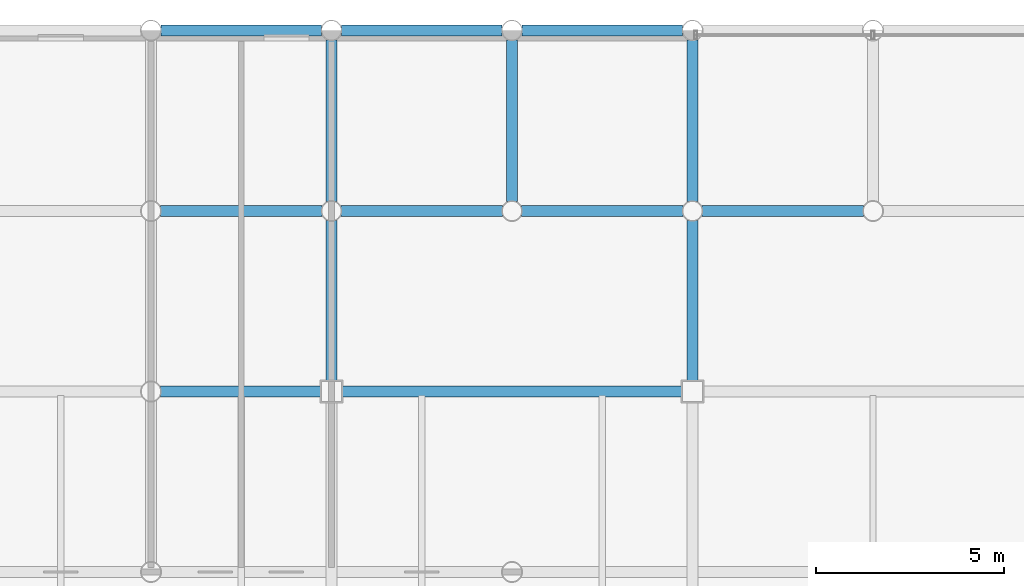
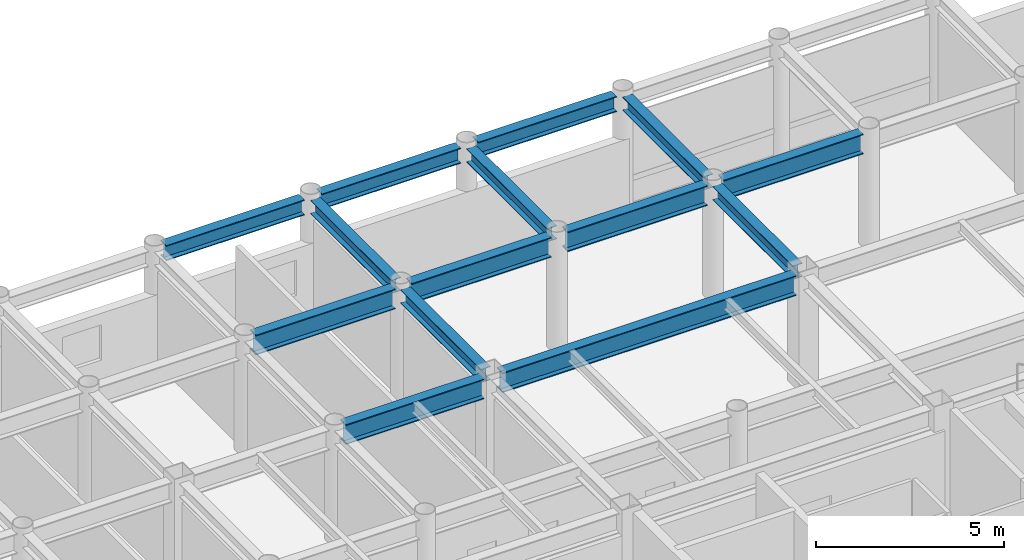
# One storey, part 13 of 21: 14 beams.
"""IFC4 building model written with IfcOpenShell, lengths in metres."""

from ifc_helpers import new_model, si_unit, direction, frame, origin, origin_2d, place, context, subcontext, project, spatial, i_section, extrude, material, material_profile, profile_set, type_object, element, save


model = new_model("IFC4")

# Units and contexts
model_context = context("Model", 3, precision=1e-05, world=origin(), true_north=direction((0.0, 1.0)))
body_context = subcontext(model_context, "Body", "Model", "MODEL_VIEW")
ifc_project = project(units=[si_unit("LENGTHUNIT", "METRE"), si_unit("AREAUNIT", "SQUARE_METRE"), si_unit("VOLUMEUNIT", "CUBIC_METRE"), si_unit("PLANEANGLEUNIT", "RADIAN"), si_unit("MASSUNIT", "GRAM", prefix="KILO")], contexts=[model_context])

# Site, building, storey
site_placement = place(None, origin())
site = spatial("IfcSite", under=ifc_project, at=site_placement, CompositionType="ELEMENT")
building_placement = place(site_placement, origin())
building = spatial("IfcBuilding", under=site, at=building_placement, Name="Kallvorn Hotel Tower", CompositionType="ELEMENT")
storey_placement = place(building_placement, frame((0.0, 0.0, 268.5)))
storey = spatial("IfcBuildingStorey", under=building, at=storey_placement, Name="L67", CompositionType="ELEMENT", Elevation=268.5)

# Beams
ifc_material_1 = material(Name="Structural steel S355JR", Category="steel")
ifc_material_profile_1 = material_profile(ifc_material_1, i_section(OverallWidth=0.300048828125, OverallDepth=0.43994140625, WebThickness=0.011474609375, FlangeThickness=0.02099609375, at=origin_2d()), Name="HE 450 A")
ifc_profile_set_1 = profile_set([ifc_material_profile_1], Name="Structural steel S355JR")
beam_type_1 = type_object("IfcBeamType", Name="BM_HE450A", PredefinedType="BEAM", material=ifc_profile_set_1)
beam_1_placement = place(storey_placement, frame((-14.39990234375, 14.675048828125, 3.449951171875), z_axis=(0.0, 1.0, 0.0), x_axis=(-1.0, 0.0, 0.0)))
element("IfcBeam", 1, at=beam_1_placement, inside=storey, type_object=beam_type_1, Name="L68 Primary Y-Girder 101", PredefinedType="BEAM", context=body_context, shape_type="SweptSolid", body=[
    extrude(i_section(OverallWidth=0.300048828125, OverallDepth=0.43994140625, WebThickness=0.011474609375, FlangeThickness=0.02099609375, at=origin_2d()), origin(), (0.0, 0.0, 1.0), 4.2705078125),
])
for number, where, z_axis, x_axis, name in (
    (2, (-14.39990234375, 19.45458984375, 3.449951171875), (0.0, 1.0, 0.0), (-1.0, 0.0, 0.0), "L68 Primary Y-Girder 102"),
    (3, (-9.60009765625, 19.45458984375, 3.449951171875), (0.0, 1.0, 0.0), (-1.0, 0.0, 0.0), "L68 Primary Y-Girder 105"),
):
    element("IfcBeam", number, at=place(storey_placement, frame(where, z_axis=z_axis, x_axis=x_axis)), inside=storey, type_object=beam_type_1, Name=name, PredefinedType="BEAM", context=body_context, shape_type="SweptSolid", body=[
        extrude(i_section(OverallWidth=0.300048828125, OverallDepth=0.43994140625, WebThickness=0.011474609375, FlangeThickness=0.02099609375, at=origin_2d()), origin(), (0.0, 0.0, 1.0), 4.291015625),
    ])
beam_2_placement = place(storey_placement, frame((-4.800048828125, 14.675048828125, 3.449951171875), z_axis=(0.0, 1.0, 0.0), x_axis=(-1.0, 0.0, 0.0)))
element("IfcBeam", 4, at=beam_2_placement, inside=storey, type_object=beam_type_1, Name="L68 Primary Y-Girder 109", PredefinedType="BEAM", context=body_context, shape_type="SweptSolid", body=[
    extrude(i_section(OverallWidth=0.300048828125, OverallDepth=0.43994140625, WebThickness=0.011474609375, FlangeThickness=0.02099609375, at=origin_2d()), origin(), (0.0, 0.0, 1.0), 4.2705078125),
])
beam_3_placement = place(storey_placement, frame((-4.800048828125, 19.45458984375, 3.449951171875), z_axis=(0.0, 1.0, 0.0), x_axis=(-1.0, 0.0, 0.0)))
element("IfcBeam", 5, at=beam_3_placement, inside=storey, type_object=beam_type_1, Name="L68 Primary Y-Girder 110", PredefinedType="BEAM", context=body_context, shape_type="SweptSolid", body=[
    extrude(i_section(OverallWidth=0.300048828125, OverallDepth=0.43994140625, WebThickness=0.011474609375, FlangeThickness=0.02099609375, at=origin_2d()), origin(), (0.0, 0.0, 1.0), 4.291015625),
])
ifc_material_2 = material(Name="Structural steel S355JR", Category="steel")
ifc_material_profile_2 = material_profile(ifc_material_2, i_section(OverallWidth=0.300048828125, OverallDepth=0.5, WebThickness=0.014404296875, FlangeThickness=0.028076171875, at=origin_2d()), Name="HE 500 B")
ifc_profile_set_2 = profile_set([ifc_material_profile_2], Name="Structural steel S355JR")
beam_type_2 = type_object("IfcBeamType", Name="BM_HE500B", PredefinedType="SPANDREL", material=ifc_profile_set_2)
beam_4_placement = place(storey_placement, frame((-18.930419921875, 24.0, 3.419921875), z_axis=(1.0, 0.0, 0.0), x_axis=(0.0, 1.0, 0.0)))
element("IfcBeam", 6, at=beam_4_placement, inside=storey, type_object=beam_type_2, Name="L68 Perimeter Spandrel 165", PredefinedType="SPANDREL", context=body_context, shape_type="SweptSolid", body=[
    extrude(i_section(OverallWidth=0.300048828125, OverallDepth=0.5, WebThickness=0.014404296875, FlangeThickness=0.028076171875, at=origin_2d()), origin(), (0.0, 0.0, 1.0), 4.260986328125),
])
beam_5_placement = place(storey_placement, frame((-14.130615234375, 24.0, 3.419921875), z_axis=(1.0, 0.0, 0.0), x_axis=(0.0, 1.0, 0.0)))
element("IfcBeam", 7, at=beam_5_placement, inside=storey, type_object=beam_type_2, Name="L68 Perimeter Spandrel 166", PredefinedType="SPANDREL", context=body_context, shape_type="SweptSolid", body=[
    extrude(i_section(OverallWidth=0.300048828125, OverallDepth=0.5, WebThickness=0.014404296875, FlangeThickness=0.028076171875, at=origin_2d()), origin(), (0.0, 0.0, 1.0), 4.26123046875),
])
beam_6_placement = place(storey_placement, frame((-9.33056640625, 24.0, 3.419921875), z_axis=(1.0, 0.0, 0.0), x_axis=(0.0, 1.0, 0.0)))
element("IfcBeam", 8, at=beam_6_placement, inside=storey, type_object=beam_type_2, Name="L68 Perimeter Spandrel 167", PredefinedType="SPANDREL", context=body_context, shape_type="SweptSolid", body=[
    extrude(i_section(OverallWidth=0.300048828125, OverallDepth=0.5, WebThickness=0.014404296875, FlangeThickness=0.028076171875, at=origin_2d()), origin(), (0.0, 0.0, 1.0), 4.260986328125),
])
ifc_material_3 = material(Name="Structural steel S355JR", Category="steel")
ifc_material_profile_3 = material_profile(ifc_material_3, i_section(OverallWidth=0.300048828125, OverallDepth=0.64990234375, WebThickness=0.01611328125, FlangeThickness=0.031005859375, at=origin_2d()), Name="HE 650 B")
ifc_profile_set_3 = profile_set([ifc_material_profile_3], Name="Structural steel S355JR")
beam_type_3 = type_object("IfcBeamType", Name="BM_HE650B", PredefinedType="BEAM", material=ifc_profile_set_3)
beam_7_placement = place(storey_placement, frame((-18.945556640625, 14.39990234375, 3.344970703125), z_axis=(1.0, 0.0, 0.0), x_axis=(0.0, 1.0, 0.0)))
element("IfcBeam", 9, at=beam_7_placement, inside=storey, type_object=beam_type_3, Name="L68 Primary X-Girder 53", PredefinedType="BEAM", context=body_context, shape_type="SweptSolid", body=[
    extrude(i_section(OverallWidth=0.300048828125, OverallDepth=0.64990234375, WebThickness=0.01611328125, FlangeThickness=0.031005859375, at=origin_2d()), origin(), (0.0, 0.0, 1.0), 4.2705078125),
])
beam_8_placement = place(storey_placement, frame((-14.125, 14.39990234375, 3.344970703125), z_axis=(1.0, 0.0, 0.0), x_axis=(0.0, 1.0, 0.0)))
element("IfcBeam", 10, at=beam_8_placement, inside=storey, type_object=beam_type_3, Name="L68 Primary X-Girder 54", PredefinedType="BEAM", context=body_context, shape_type="SweptSolid", body=[
    extrude(i_section(OverallWidth=0.300048828125, OverallDepth=0.64990234375, WebThickness=0.01611328125, FlangeThickness=0.031005859375, at=origin_2d()), origin(), (0.0, 0.0, 1.0), 9.050048828125),
])
for number, where, z_axis, x_axis, name in (
    (11, (-18.945556640625, 19.199951171875, 3.344970703125), (1.0, 0.0, 0.0), (0.0, 1.0, 0.0), "L68 Primary X-Girder 63"),
    (12, (-14.1455078125, 19.199951171875, 3.344970703125), (1.0, 0.0, 0.0), (0.0, 1.0, 0.0), "L68 Primary X-Girder 64"),
    (13, (-9.345458984375, 19.199951171875, 3.344970703125), (1.0, 0.0, 0.0), (0.0, 1.0, 0.0), "L68 Primary X-Girder 65"),
    (14, (-4.54541015625, 19.199951171875, 3.344970703125), (1.0, 0.0, 0.0), (0.0, 1.0, 0.0), "L68 Primary X-Girder 66"),
):
    element("IfcBeam", number, at=place(storey_placement, frame(where, z_axis=z_axis, x_axis=x_axis)), inside=storey, type_object=beam_type_3, Name=name, PredefinedType="BEAM", context=body_context, shape_type="SweptSolid", body=[
        extrude(i_section(OverallWidth=0.300048828125, OverallDepth=0.64990234375, WebThickness=0.01611328125, FlangeThickness=0.031005859375, at=origin_2d()), origin(), (0.0, 0.0, 1.0), 4.291015625),
    ])

save(model, "model.ifc")
